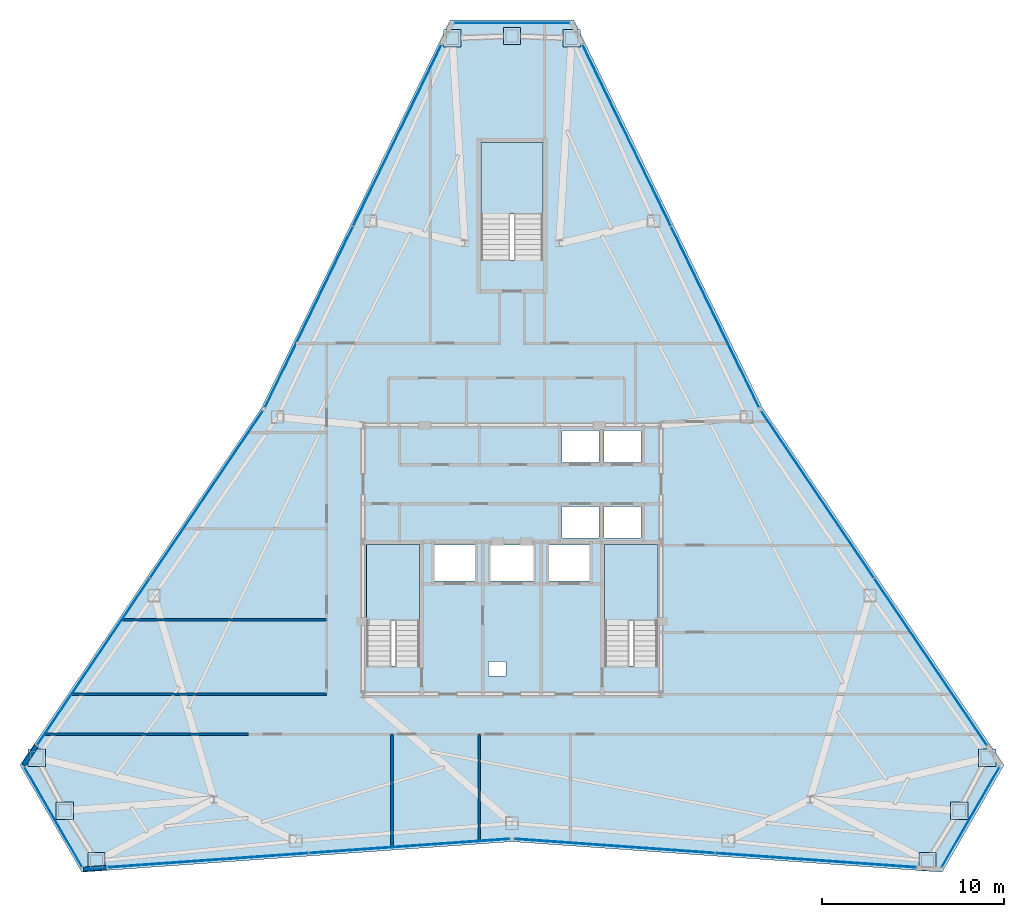
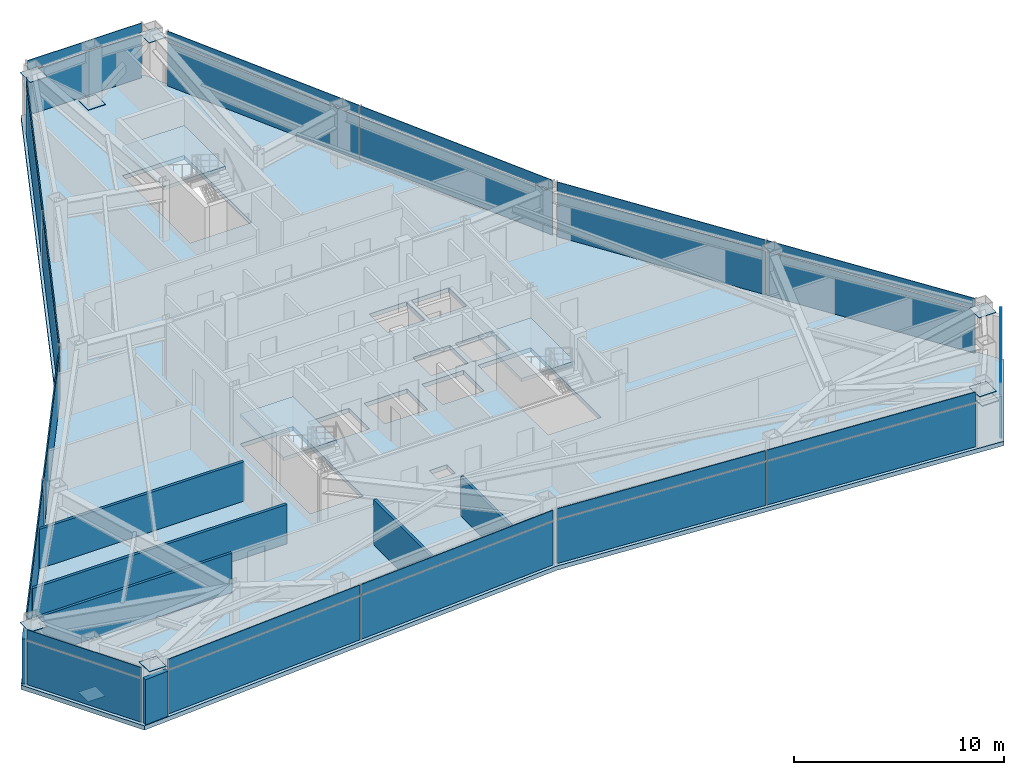
# One storey, part 8 of 12: 39 plates, 7 walls, 4 slabs, 12 elements without a shape of their own.
"""IFC4 building model written with IfcOpenShell, lengths in metres."""

from ifc_helpers import new_model, si_unit, direction, frame, frame_2d, origin, origin_2d, place, context, subcontext, project, spatial, polyline, rectangle, outline, extrude, source, transform, mapped, material, layer, layer_set, type_object, type_shapes, element, aggregate, save


model = new_model("IFC4")

# Units and contexts
model_context = context("Model", 3, precision=1e-05, world=origin(), true_north=direction((0.0, 1.0)))
body_context = subcontext(model_context, "Body", "Model", "MODEL_VIEW")
ifc_project = project(units=[si_unit("LENGTHUNIT", "METRE"), si_unit("AREAUNIT", "SQUARE_METRE"), si_unit("VOLUMEUNIT", "CUBIC_METRE"), si_unit("PLANEANGLEUNIT", "RADIAN"), si_unit("MASSUNIT", "GRAM", prefix="KILO")], contexts=[model_context])

# Site, building, storey
site_placement = place(None, origin())
site = spatial("IfcSite", under=ifc_project, at=site_placement, CompositionType="ELEMENT")
building_placement = place(site_placement, origin())
building = spatial("IfcBuilding", under=site, at=building_placement, Name="Varakhsha Concourse Tower", CompositionType="ELEMENT")
storey_placement = place(building_placement, frame((0.0, 0.0, 208.39990234375)))
storey = spatial("IfcBuildingStorey", under=building, at=storey_placement, Name="L59", CompositionType="ELEMENT", Elevation=208.39990234375)

# Slab
ifc_material_1 = material(Name="Concrete fc 45 MPa", Category="concrete")
ifc_layer_1 = layer(ifc_material_1, 0.25, Name="SL-FLR-250")
ifc_layer_set_1 = layer_set([ifc_layer_1], Name="Concrete fc 45 MPa")
slab_type_1 = type_object("IfcSlabType", Name="SL-FLR-250", PredefinedType="FLOOR", material=ifc_layer_set_1)
slab_1_placement = place(storey_placement, frame((0.0, 0.0, -0.25)))
element("IfcSlab", 1, at=slab_1_placement, inside=storey, type_object=slab_type_1, Name="L59 Composite Structural Slab", PredefinedType="FLOOR", context=body_context, shape_type="SweptSolid", body=[
    extrude(outline(polyline([(43.39990234375, 53.497802734375), (36.60009765625, 53.497802734375), (26.21728515625, 32.157470703125), (12.927490234375, 12.49560546875), (16.327392578125, 6.606689453125), (40.0, 8.28515625), (63.672607421875, 6.606689453125), (67.072509765625, 12.49560546875), (53.78271484375, 32.157470703125), (43.39990234375, 53.497802734375)]), holes=[polyline([(34.919921875, 17.93994140625), (34.919921875, 24.6298828125), (32.0, 24.6298828125), (32.0, 17.93994140625), (34.919921875, 17.93994140625)]), polyline([(48.02001953125, 17.93994140625), (48.02001953125, 24.6298828125), (45.10009765625, 24.6298828125), (45.10009765625, 17.93994140625), (48.02001953125, 17.93994140625)]), polyline([(41.699951171875, 40.300048828125), (41.699951171875, 46.75), (38.300048828125, 46.75), (38.300048828125, 40.300048828125), (41.699951171875, 40.300048828125)]), polyline([(42.739990234375, 29.159912109375), (44.780029296875, 29.159912109375), (44.780029296875, 30.89990234375), (42.739990234375, 30.89990234375), (42.739990234375, 29.159912109375)]), polyline([(45.06005859375, 29.159912109375), (47.10009765625, 29.159912109375), (47.10009765625, 30.89990234375), (45.06005859375, 30.89990234375), (45.06005859375, 29.159912109375)]), polyline([(42.739990234375, 25.0), (44.780029296875, 25.0), (44.780029296875, 26.739990234375), (42.739990234375, 26.739990234375), (42.739990234375, 25.0)]), polyline([(45.06005859375, 25.0), (47.10009765625, 25.0), (47.10009765625, 26.739990234375), (45.06005859375, 26.739990234375), (45.06005859375, 25.0)]), polyline([(35.7099609375, 22.639892578125), (37.989990234375, 22.639892578125), (37.989990234375, 24.60009765625), (35.7099609375, 24.60009765625), (35.7099609375, 22.639892578125)]), polyline([(42.010009765625, 22.639892578125), (44.2900390625, 22.639892578125), (44.2900390625, 24.60009765625), (42.010009765625, 24.60009765625), (42.010009765625, 22.639892578125)]), polyline([(38.81005859375, 22.639892578125), (41.18994140625, 22.639892578125), (41.18994140625, 24.60009765625), (38.81005859375, 24.60009765625), (38.81005859375, 22.639892578125)]), polyline([(38.719970703125, 17.39990234375), (39.679931640625, 17.39990234375), (39.679931640625, 18.199951171875), (38.719970703125, 18.199951171875), (38.719970703125, 17.39990234375)])]), origin(), (0.0, 0.0, 1.0), 0.25),
])

# Stair, slab
stair_type_1 = type_object("IfcStairType", Name="ST-DOGLEG-1360", PredefinedType="HALF_TURN_STAIR", material=ifc_material_1)
stair_1_placement = place(storey_placement, origin())
stair_1 = element("IfcStair", 2, at=stair_1_placement, inside=storey, type_object=stair_type_1, Name="L59 Protected Exit Stair ST1", PredefinedType="HALF_TURN_STAIR")
ifc_layer_2 = layer(ifc_material_1, 0.199951171875, Name="SL-LAND-200")
ifc_layer_set_2 = layer_set([ifc_layer_2], Name="Concrete fc 45 MPa")
slab_type_2 = type_object("IfcSlabType", Name="SL-LAND-200", PredefinedType="LANDING", material=ifc_layer_set_2)
slab_2_placement = place(storey_placement, frame((0.0, 0.0, 1.550048828125)))
slab_2 = element("IfcSlab", 3, at=slab_2_placement, type_object=slab_type_2, Name="ST1 landing 1", PredefinedType="LANDING", context=body_context, shape_type="SweptSolid", body=[
    extrude(outline(polyline([(34.919921875, 20.4599609375), (34.919921875, 24.6298828125), (32.0, 24.6298828125), (32.0, 20.4599609375), (34.919921875, 20.4599609375)])), origin(), (0.0, 0.0, 1.0), 0.199951171875),
])
aggregate(stair_1, [slab_2])

stair_2_placement = place(storey_placement, origin())
stair_2 = element("IfcStair", 4, at=stair_2_placement, inside=storey, type_object=stair_type_1, Name="L59 Protected Exit Stair ST2", PredefinedType="HALF_TURN_STAIR")
slab_3_placement = place(storey_placement, frame((0.0, 0.0, 1.550048828125)))
slab_3 = element("IfcSlab", 5, at=slab_3_placement, type_object=slab_type_2, Name="ST2 landing 1", PredefinedType="LANDING", context=body_context, shape_type="SweptSolid", body=[
    extrude(outline(polyline([(48.02001953125, 20.4599609375), (48.02001953125, 24.6298828125), (45.10009765625, 24.6298828125), (45.10009765625, 20.4599609375), (48.02001953125, 20.4599609375)])), origin(), (0.0, 0.0, 1.0), 0.199951171875),
])
aggregate(stair_2, [slab_3])

stair_type_2 = type_object("IfcStairType", Name="ST-DOGLEG-1600", PredefinedType="HALF_TURN_STAIR", material=ifc_material_1)
stair_3_placement = place(storey_placement, origin())
stair_3 = element("IfcStair", 6, at=stair_3_placement, inside=storey, type_object=stair_type_2, Name="L59 Protected Exit Stair ST5", PredefinedType="HALF_TURN_STAIR")
slab_4_placement = place(storey_placement, frame((0.0, 0.0, 1.550048828125)))
slab_4 = element("IfcSlab", 7, at=slab_4_placement, type_object=slab_type_2, Name="ST5 landing 1", PredefinedType="LANDING", context=body_context, shape_type="SweptSolid", body=[
    extrude(outline(polyline([(41.699951171875, 42.820068359375), (41.699951171875, 46.75), (38.300048828125, 46.75), (38.300048828125, 42.820068359375), (41.699951171875, 42.820068359375)])), origin(), (0.0, 0.0, 1.0), 0.199951171875),
])
aggregate(stair_3, [slab_4])

# Plates
ifc_material_2 = material(Name="Structural Steel ASTM A572 Grade 50", Category="steel")
ifc_layer_3 = layer(ifc_material_2, 0.030029296875, Name="PL-ENDCAP-950")
ifc_layer_set_3 = layer_set([ifc_layer_3], Name="Structural Steel ASTM A572 Grade 50")
plate_type_1 = type_object("IfcPlateType", Name="PL-ENDCAP-950", PredefinedType="USERDEFINED", material=ifc_layer_set_3)
shared_shape_1 = source(origin(), body_context, "Body", "SweptSolid", [
    extrude(rectangle(XDim=0.949951171875, YDim=0.949951171875, at=origin_2d()), origin(), (0.0, 0.0, 1.0), 0.030029296875),
])
type_shapes(plate_type_1, [shared_shape_1])
for number, where, z_axis, x_axis, name in (
    (8, (40.0, 52.61767578125, 0.10498046875), (0.0, 0.0, 1.0), (1.0, 0.0, 0.0), "Hollow Section End Cap GP-NODE-L59-0604"),
    (9, (43.283203125, 52.492431640625, 2.93505859375), (0.0, 0.0, 1.0), (1.0, 0.0, 0.0), "Hollow Section End Cap GP-NODE-L59-0605"),
    (10, (36.716796875, 52.492431640625, 2.93505859375), (0.0, 0.0, 1.0), (1.0, 0.0, 0.0), "Hollow Section End Cap GP-NODE-L59-0606"),
    (11, (15.389404296875, 9.9912109375, 0.10498046875), (0.0, 0.0, 1.0), (1.0, 0.0, 0.0), "Hollow Section End Cap GP-NODE-L59-0607"),
    (12, (13.856201171875, 12.897216796875, 2.93505859375), (0.0, 0.0, 1.0), (1.0, 0.0, 0.0), "Hollow Section End Cap GP-NODE-L59-0608"),
    (13, (17.1396484375, 7.210205078125, 2.93505859375), (0.0, 0.0, 1.0), (1.0, 0.0, 0.0), "Hollow Section End Cap GP-NODE-L59-0609"),
    (14, (64.610595703125, 9.9912109375, 0.10498046875), (0.0, 0.0, 1.0), (1.0, 0.0, 0.0), "Hollow Section End Cap GP-NODE-L59-0610"),
    (15, (62.8603515625, 7.210205078125, 2.93505859375), (0.0, 0.0, 1.0), (1.0, 0.0, 0.0), "Hollow Section End Cap GP-NODE-L59-0611"),
    (16, (66.143798828125, 12.897216796875, 2.93505859375), (0.0, 0.0, 1.0), (1.0, 0.0, 0.0), "Hollow Section End Cap GP-NODE-L59-0612"),
):
    element("IfcPlate", number, at=place(storey_placement, frame(where, z_axis=z_axis, x_axis=x_axis)), inside=storey, type_object=plate_type_1, Name=name, ObjectType="END PLATE", PredefinedType="USERDEFINED", context=body_context, shape_type="MappedRepresentation", body=[
        mapped(shared_shape_1, transform((0.0, 0.0, 0.0), scale=1.0)),
    ])

# Curtain wall, plate
ifc_material_3 = material(Name="Anodised Bronze Architectural Aluminium AA 6063-T6", Category="aluminium")
ifc_layer_4 = layer(ifc_material_3, 0.199951171875, Name="CW-SYS-05")
ifc_layer_set_4 = layer_set([ifc_layer_4], Name="Anodised Bronze Architectural Aluminium AA 6063-T6")
curtain_wall_type = type_object("IfcCurtainWallType", Name="CW-SYS-05", PredefinedType="NOTDEFINED", material=ifc_layer_set_4)
curtain_wall_1_placement = place(storey_placement, origin())
curtain_wall_1 = element("IfcCurtainWall", 17, at=curtain_wall_1_placement, inside=storey, type_object=curtain_wall_type, Name="L59 Crystal Curtain Wall F2", PredefinedType="NOTDEFINED")
ifc_material_4 = material(Name="Low-E Triple Insulating Glass IGU 44 mm", Category="glass")
ifc_layer_5 = layer(ifc_material_4, 0.0439453125, Name="CWP-IGU-44")
ifc_layer_set_5 = layer_set([ifc_layer_5], Name="Low-E Triple Insulating Glass IGU 44 mm")
plate_type_2 = type_object("IfcPlateType", Name="CWP-IGU-44", PredefinedType="CURTAIN_PANEL", material=ifc_layer_set_5)
shared_shape_2 = source(origin(), body_context, "Body", "SweptSolid", [
    extrude(rectangle(XDim=11.046875, YDim=0.0439453125, at=origin_2d()), origin(), (0.0, 0.0, 1.0), 2.535888671875),
])
plate_1_placement = place(storey_placement, frame((28.827880859375, 37.1572265625, 0.0322265625), z_axis=(0.0, 0.0, 1.0), x_axis=(0.437497178592, 0.899219783325, 0.0)))
plate_1 = element("IfcPlate", 18, at=plate_1_placement, type_object=plate_type_2, Name="CW-L59-F2 Panel 00-00", PredefinedType="CURTAIN_PANEL", context=body_context, shape_type="MappedRepresentation", body=[
    mapped(shared_shape_2, transform((0.0, 0.0, 0.0), scale=1.0)),
])

curtain_wall_2_placement = place(storey_placement, origin())
curtain_wall_2 = element("IfcCurtainWall", 19, at=curtain_wall_2_placement, inside=storey, type_object=curtain_wall_type, Name="L59 Crystal Curtain Wall F9", PredefinedType="NOTDEFINED")
plate_2_placement = place(storey_placement, frame((46.30908203125, 47.153076171875, 0.0322265625), z_axis=(0.0, 0.0, 1.0), x_axis=(0.437497178592, -0.899219783325, 0.0)))
plate_2 = element("IfcPlate", 20, at=plate_2_placement, type_object=plate_type_2, Name="CW-L59-F9 Panel 00-00", PredefinedType="CURTAIN_PANEL", context=body_context, shape_type="MappedRepresentation", body=[
    mapped(shared_shape_2, transform((0.0, 0.0, 0.0), scale=1.0)),
])

# Plate
ifc_material_5 = material(Name="Insulated Anodised Bronze Aluminium Spandrel 36 mm", Category="aluminium")
ifc_layer_6 = layer(ifc_material_5, 0.035888671875, Name="CWP-SPN-36")
ifc_layer_set_6 = layer_set([ifc_layer_6], Name="Insulated Anodised Bronze Aluminium Spandrel 36 mm")
plate_type_3 = type_object("IfcPlateType", Name="CWP-SPN-36", PredefinedType="USERDEFINED", material=ifc_layer_set_6)
shared_shape_3 = source(origin(), body_context, "Body", "SweptSolid", [
    extrude(rectangle(XDim=11.046875, YDim=0.035888671875, at=origin_2d()), origin(), (0.0, 0.0, 1.0), 0.5859375),
])
plate_3_placement = place(storey_placement, frame((28.827880859375, 37.1572265625, 2.632080078125), z_axis=(0.0, 0.0, 1.0), x_axis=(0.437497178592, 0.899219783325, 0.0)))
plate_3 = element("IfcPlate", 21, at=plate_3_placement, type_object=plate_type_3, Name="CW-L59-F2 Panel 00-01", ObjectType="SPANDREL", PredefinedType="USERDEFINED", context=body_context, shape_type="MappedRepresentation", body=[
    mapped(shared_shape_3, transform((0.0, 0.0, 0.0), scale=1.0)),
])

plate_4_placement = place(storey_placement, frame((46.30908203125, 47.153076171875, 2.632080078125), z_axis=(0.0, 0.0, 1.0), x_axis=(0.437497178592, -0.899219783325, 0.0)))
plate_4 = element("IfcPlate", 22, at=plate_4_placement, type_object=plate_type_3, Name="CW-L59-F9 Panel 00-01", ObjectType="SPANDREL", PredefinedType="USERDEFINED", context=body_context, shape_type="MappedRepresentation", body=[
    mapped(shared_shape_3, transform((0.0, 0.0, 0.0), scale=1.0)),
])

shared_shape_4 = source(origin(), body_context, "Body", "SweptSolid", [
    extrude(rectangle(XDim=11.047119140625, YDim=0.0439453125, at=origin_2d()), origin(), (0.0, 0.0, 1.0), 2.535888671875),
])
type_shapes(plate_type_2, [shared_shape_2, shared_shape_4])
plate_5_placement = place(storey_placement, frame((33.69091796875, 47.15283203125, 0.0322265625), z_axis=(0.0, 0.0, 1.0), x_axis=(0.437497178592, 0.899219783325, 0.0)))
plate_5 = element("IfcPlate", 23, at=plate_5_placement, type_object=plate_type_2, Name="CW-L59-F2 Panel 01-00", PredefinedType="CURTAIN_PANEL", context=body_context, shape_type="MappedRepresentation", body=[
    mapped(shared_shape_4, transform((0.0, 0.0, 0.0), scale=1.0)),
])

# Curtain wall, plates
curtain_wall_3_placement = place(storey_placement, origin())
curtain_wall_3 = element("IfcCurtainWall", 24, at=curtain_wall_3_placement, inside=storey, type_object=curtain_wall_type, Name="L59 Crystal Curtain Wall F3", PredefinedType="NOTDEFINED")
plate_6_placement = place(storey_placement, frame((16.9677734375, 18.187255859375, 0.0322265625), z_axis=(0.0, 0.0, 1.0), x_axis=(0.559998586649, 0.828493562408, 0.0)))
plate_6 = element("IfcPlate", 25, at=plate_6_placement, type_object=plate_type_2, Name="CW-L59-F3 Panel 00-00", PredefinedType="CURTAIN_PANEL", context=body_context, shape_type="MappedRepresentation", body=[
    mapped(shared_shape_4, transform((0.0, 0.0, 0.0), scale=1.0)),
])
plate_7_placement = place(storey_placement, frame((23.192626953125, 27.396728515625, 0.0322265625), z_axis=(0.0, 0.0, 1.0), x_axis=(0.559998586649, 0.828493562408, 0.0)))
plate_7 = element("IfcPlate", 26, at=plate_7_placement, type_object=plate_type_2, Name="CW-L59-F3 Panel 01-00", PredefinedType="CURTAIN_PANEL", context=body_context, shape_type="MappedRepresentation", body=[
    mapped(shared_shape_4, transform((0.0, 0.0, 0.0), scale=1.0)),
])

curtain_wall_4_placement = place(storey_placement, origin())
curtain_wall_4 = element("IfcCurtainWall", 27, at=curtain_wall_4_placement, inside=storey, type_object=curtain_wall_type, Name="L59 Crystal Curtain Wall F5", PredefinedType="NOTDEFINED")
plate_8_placement = place(storey_placement, frame((34.36474609375, 8.0458984375, 0.0322265625), z_axis=(0.0, 0.0, 1.0), x_axis=(-0.997496012116, -0.070722739, 0.0)))
plate_8 = element("IfcPlate", 28, at=plate_8_placement, type_object=plate_type_2, Name="CW-L59-F5 Panel 00-00", PredefinedType="CURTAIN_PANEL", context=body_context, shape_type="MappedRepresentation", body=[
    mapped(shared_shape_4, transform((0.0, 0.0, 0.0), scale=1.0)),
])
plate_9_placement = place(storey_placement, frame((23.276611328125, 7.259765625, 0.0322265625), z_axis=(0.0, 0.0, 1.0), x_axis=(-0.997496012116, -0.070722739, 0.0)))
plate_9 = element("IfcPlate", 29, at=plate_9_placement, type_object=plate_type_2, Name="CW-L59-F5 Panel 01-00", PredefinedType="CURTAIN_PANEL", context=body_context, shape_type="MappedRepresentation", body=[
    mapped(shared_shape_4, transform((0.0, 0.0, 0.0), scale=1.0)),
])

curtain_wall_5_placement = place(storey_placement, origin())
curtain_wall_5 = element("IfcCurtainWall", 30, at=curtain_wall_5_placement, inside=storey, type_object=curtain_wall_type, Name="L59 Crystal Curtain Wall F6", PredefinedType="NOTDEFINED")
plate_10_placement = place(storey_placement, frame((56.723388671875, 7.259765625, 0.0322265625), z_axis=(0.0, 0.0, 1.0), x_axis=(-0.997496012116, 0.070722739, 0.0)))
plate_10 = element("IfcPlate", 31, at=plate_10_placement, type_object=plate_type_2, Name="CW-L59-F6 Panel 00-00", PredefinedType="CURTAIN_PANEL", context=body_context, shape_type="MappedRepresentation", body=[
    mapped(shared_shape_4, transform((0.0, 0.0, 0.0), scale=1.0)),
])
plate_11_placement = place(storey_placement, frame((45.63525390625, 8.0458984375, 0.0322265625), z_axis=(0.0, 0.0, 1.0), x_axis=(-0.997496012116, 0.070722739, 0.0)))
plate_11 = element("IfcPlate", 32, at=plate_11_placement, type_object=plate_type_2, Name="CW-L59-F6 Panel 01-00", PredefinedType="CURTAIN_PANEL", context=body_context, shape_type="MappedRepresentation", body=[
    mapped(shared_shape_4, transform((0.0, 0.0, 0.0), scale=1.0)),
])

curtain_wall_6_placement = place(storey_placement, origin())
curtain_wall_6 = element("IfcCurtainWall", 33, at=curtain_wall_6_placement, inside=storey, type_object=curtain_wall_type, Name="L59 Crystal Curtain Wall F8", PredefinedType="NOTDEFINED")
plate_12_placement = place(storey_placement, frame((56.807373046875, 27.396728515625, 0.0322265625), z_axis=(0.0, 0.0, 1.0), x_axis=(0.559998586649, -0.828493562408, 0.0)))
plate_12 = element("IfcPlate", 34, at=plate_12_placement, type_object=plate_type_2, Name="CW-L59-F8 Panel 00-00", PredefinedType="CURTAIN_PANEL", context=body_context, shape_type="MappedRepresentation", body=[
    mapped(shared_shape_4, transform((0.0, 0.0, 0.0), scale=1.0)),
])
plate_13_placement = place(storey_placement, frame((63.0322265625, 18.187255859375, 0.0322265625), z_axis=(0.0, 0.0, 1.0), x_axis=(0.559998586649, -0.828493562408, 0.0)))
plate_13 = element("IfcPlate", 35, at=plate_13_placement, type_object=plate_type_2, Name="CW-L59-F8 Panel 01-00", PredefinedType="CURTAIN_PANEL", context=body_context, shape_type="MappedRepresentation", body=[
    mapped(shared_shape_4, transform((0.0, 0.0, 0.0), scale=1.0)),
])

# Plate
plate_14_placement = place(storey_placement, frame((51.172119140625, 37.1572265625, 0.0322265625), z_axis=(0.0, 0.0, 1.0), x_axis=(0.437497178592, -0.899219783325, 0.0)))
plate_14 = element("IfcPlate", 36, at=plate_14_placement, type_object=plate_type_2, Name="CW-L59-F9 Panel 01-00", PredefinedType="CURTAIN_PANEL", context=body_context, shape_type="MappedRepresentation", body=[
    mapped(shared_shape_4, transform((0.0, 0.0, 0.0), scale=1.0)),
])

shared_shape_5 = source(origin(), body_context, "Body", "SweptSolid", [
    extrude(rectangle(XDim=11.047119140625, YDim=0.035888671875, at=origin_2d()), origin(), (0.0, 0.0, 1.0), 0.5859375),
])
plate_15_placement = place(storey_placement, frame((33.69091796875, 47.15283203125, 2.632080078125), z_axis=(0.0, 0.0, 1.0), x_axis=(0.437497178592, 0.899219783325, 0.0)))
plate_15 = element("IfcPlate", 37, at=plate_15_placement, type_object=plate_type_3, Name="CW-L59-F2 Panel 01-01", ObjectType="SPANDREL", PredefinedType="USERDEFINED", context=body_context, shape_type="MappedRepresentation", body=[
    mapped(shared_shape_5, transform((0.0, 0.0, 0.0), scale=1.0)),
])

aggregate(curtain_wall_1, [plate_1, plate_3, plate_5, plate_15])

plate_16_placement = place(storey_placement, frame((16.9677734375, 18.187255859375, 2.632080078125), z_axis=(0.0, 0.0, 1.0), x_axis=(0.559998586649, 0.828493562408, 0.0)))
plate_16 = element("IfcPlate", 38, at=plate_16_placement, type_object=plate_type_3, Name="CW-L59-F3 Panel 00-01", ObjectType="SPANDREL", PredefinedType="USERDEFINED", context=body_context, shape_type="MappedRepresentation", body=[
    mapped(shared_shape_5, transform((0.0, 0.0, 0.0), scale=1.0)),
])

plate_17_placement = place(storey_placement, frame((23.192626953125, 27.396728515625, 2.632080078125), z_axis=(0.0, 0.0, 1.0), x_axis=(0.559998586649, 0.828493562408, 0.0)))
plate_17 = element("IfcPlate", 39, at=plate_17_placement, type_object=plate_type_3, Name="CW-L59-F3 Panel 01-01", ObjectType="SPANDREL", PredefinedType="USERDEFINED", context=body_context, shape_type="MappedRepresentation", body=[
    mapped(shared_shape_5, transform((0.0, 0.0, 0.0), scale=1.0)),
])

aggregate(curtain_wall_3, [plate_6, plate_16, plate_7, plate_17])

plate_18_placement = place(storey_placement, frame((34.36474609375, 8.0458984375, 2.632080078125), z_axis=(0.0, 0.0, 1.0), x_axis=(-0.997496012116, -0.070722739, 0.0)))
plate_18 = element("IfcPlate", 40, at=plate_18_placement, type_object=plate_type_3, Name="CW-L59-F5 Panel 00-01", ObjectType="SPANDREL", PredefinedType="USERDEFINED", context=body_context, shape_type="MappedRepresentation", body=[
    mapped(shared_shape_5, transform((0.0, 0.0, 0.0), scale=1.0)),
])

plate_19_placement = place(storey_placement, frame((23.276611328125, 7.259765625, 2.632080078125), z_axis=(0.0, 0.0, 1.0), x_axis=(-0.997496012116, -0.070722739, 0.0)))
plate_19 = element("IfcPlate", 41, at=plate_19_placement, type_object=plate_type_3, Name="CW-L59-F5 Panel 01-01", ObjectType="SPANDREL", PredefinedType="USERDEFINED", context=body_context, shape_type="MappedRepresentation", body=[
    mapped(shared_shape_5, transform((0.0, 0.0, 0.0), scale=1.0)),
])

aggregate(curtain_wall_4, [plate_8, plate_18, plate_9, plate_19])

plate_20_placement = place(storey_placement, frame((56.723388671875, 7.259765625, 2.632080078125), z_axis=(0.0, 0.0, 1.0), x_axis=(-0.997496012116, 0.070722739, 0.0)))
plate_20 = element("IfcPlate", 42, at=plate_20_placement, type_object=plate_type_3, Name="CW-L59-F6 Panel 00-01", ObjectType="SPANDREL", PredefinedType="USERDEFINED", context=body_context, shape_type="MappedRepresentation", body=[
    mapped(shared_shape_5, transform((0.0, 0.0, 0.0), scale=1.0)),
])

plate_21_placement = place(storey_placement, frame((45.63525390625, 8.0458984375, 2.632080078125), z_axis=(0.0, 0.0, 1.0), x_axis=(-0.997496012116, 0.070722739, 0.0)))
plate_21 = element("IfcPlate", 43, at=plate_21_placement, type_object=plate_type_3, Name="CW-L59-F6 Panel 01-01", ObjectType="SPANDREL", PredefinedType="USERDEFINED", context=body_context, shape_type="MappedRepresentation", body=[
    mapped(shared_shape_5, transform((0.0, 0.0, 0.0), scale=1.0)),
])

aggregate(curtain_wall_5, [plate_10, plate_20, plate_11, plate_21])

plate_22_placement = place(storey_placement, frame((56.807373046875, 27.396728515625, 2.632080078125), z_axis=(0.0, 0.0, 1.0), x_axis=(0.559998586649, -0.828493562408, 0.0)))
plate_22 = element("IfcPlate", 44, at=plate_22_placement, type_object=plate_type_3, Name="CW-L59-F8 Panel 00-01", ObjectType="SPANDREL", PredefinedType="USERDEFINED", context=body_context, shape_type="MappedRepresentation", body=[
    mapped(shared_shape_5, transform((0.0, 0.0, 0.0), scale=1.0)),
])

plate_23_placement = place(storey_placement, frame((63.0322265625, 18.187255859375, 2.632080078125), z_axis=(0.0, 0.0, 1.0), x_axis=(0.559998586649, -0.828493562408, 0.0)))
plate_23 = element("IfcPlate", 45, at=plate_23_placement, type_object=plate_type_3, Name="CW-L59-F8 Panel 01-01", ObjectType="SPANDREL", PredefinedType="USERDEFINED", context=body_context, shape_type="MappedRepresentation", body=[
    mapped(shared_shape_5, transform((0.0, 0.0, 0.0), scale=1.0)),
])

aggregate(curtain_wall_6, [plate_12, plate_22, plate_13, plate_23])

plate_24_placement = place(storey_placement, frame((51.172119140625, 37.1572265625, 2.632080078125), z_axis=(0.0, 0.0, 1.0), x_axis=(0.437497178592, -0.899219783325, 0.0)))
plate_24 = element("IfcPlate", 46, at=plate_24_placement, type_object=plate_type_3, Name="CW-L59-F9 Panel 01-01", ObjectType="SPANDREL", PredefinedType="USERDEFINED", context=body_context, shape_type="MappedRepresentation", body=[
    mapped(shared_shape_5, transform((0.0, 0.0, 0.0), scale=1.0)),
])

aggregate(curtain_wall_2, [plate_2, plate_4, plate_14, plate_24])

# Curtain wall, plate
curtain_wall_7_placement = place(storey_placement, origin())
curtain_wall_7 = element("IfcCurtainWall", 47, at=curtain_wall_7_placement, inside=storey, type_object=curtain_wall_type, Name="L59 Chamfer Curtain Wall F1", PredefinedType="NOTDEFINED")
shared_shape_6 = source(origin(), body_context, "Body", "SweptSolid", [
    extrude(rectangle(XDim=6.291015625, YDim=0.035888671875, at=origin_2d()), origin(), (0.0, 0.0, 1.0), 2.535888671875),
])
plate_25_placement = place(storey_placement, frame((40.0, 53.337646484375, 0.0322265625), z_axis=(0.0, 0.0, 1.0), x_axis=(1.0, 0.0, 0.0)))
plate_25 = element("IfcPlate", 48, at=plate_25_placement, type_object=plate_type_3, Name="CW-L59-F1 Panel 00-00", ObjectType="SPANDREL", PredefinedType="USERDEFINED", context=body_context, shape_type="MappedRepresentation", body=[
    mapped(shared_shape_6, transform((0.0, 0.0, 0.0), scale=1.0)),
])

curtain_wall_8_placement = place(storey_placement, origin())
curtain_wall_8 = element("IfcCurtainWall", 49, at=curtain_wall_8_placement, inside=storey, type_object=curtain_wall_type, Name="L59 Chamfer Curtain Wall F4", PredefinedType="NOTDEFINED")
plate_26_placement = place(storey_placement, frame((14.76611328125, 9.631103515625, 0.0322265625), z_axis=(0.0, 0.0, 1.0), x_axis=(-0.49999395399, 0.866028894422, 0.0)))
plate_26 = element("IfcPlate", 50, at=plate_26_placement, type_object=plate_type_3, Name="CW-L59-F4 Panel 00-00", ObjectType="SPANDREL", PredefinedType="USERDEFINED", context=body_context, shape_type="MappedRepresentation", body=[
    mapped(shared_shape_6, transform((0.0, 0.0, 0.0), scale=1.0)),
])

curtain_wall_9_placement = place(storey_placement, origin())
curtain_wall_9 = element("IfcCurtainWall", 51, at=curtain_wall_9_placement, inside=storey, type_object=curtain_wall_type, Name="L59 Chamfer Curtain Wall F7", PredefinedType="NOTDEFINED")
plate_27_placement = place(storey_placement, frame((65.23388671875, 9.631103515625, 0.0322265625), z_axis=(0.0, 0.0, 1.0), x_axis=(-0.49999395399, -0.866028894422, 0.0)))
plate_27 = element("IfcPlate", 52, at=plate_27_placement, type_object=plate_type_3, Name="CW-L59-F7 Panel 00-00", ObjectType="SPANDREL", PredefinedType="USERDEFINED", context=body_context, shape_type="MappedRepresentation", body=[
    mapped(shared_shape_6, transform((0.0, 0.0, 0.0), scale=1.0)),
])

# Plate
shared_shape_7 = source(origin(), body_context, "Body", "SweptSolid", [
    extrude(rectangle(XDim=6.291015625, YDim=0.035888671875, at=origin_2d()), origin(), (0.0, 0.0, 1.0), 0.5859375),
])
type_shapes(plate_type_3, [shared_shape_3, shared_shape_5, shared_shape_6, shared_shape_7])
plate_28_placement = place(storey_placement, frame((40.0, 53.337646484375, 2.632080078125), z_axis=(0.0, 0.0, 1.0), x_axis=(1.0, 0.0, 0.0)))
plate_28 = element("IfcPlate", 53, at=plate_28_placement, type_object=plate_type_3, Name="CW-L59-F1 Panel 00-01", ObjectType="SPANDREL", PredefinedType="USERDEFINED", context=body_context, shape_type="MappedRepresentation", body=[
    mapped(shared_shape_7, transform((0.0, 0.0, 0.0), scale=1.0)),
])

aggregate(curtain_wall_7, [plate_25, plate_28])

plate_29_placement = place(storey_placement, frame((14.76611328125, 9.631103515625, 2.632080078125), z_axis=(0.0, 0.0, 1.0), x_axis=(-0.49999395399, 0.866028894422, 0.0)))
plate_29 = element("IfcPlate", 54, at=plate_29_placement, type_object=plate_type_3, Name="CW-L59-F4 Panel 00-01", ObjectType="SPANDREL", PredefinedType="USERDEFINED", context=body_context, shape_type="MappedRepresentation", body=[
    mapped(shared_shape_7, transform((0.0, 0.0, 0.0), scale=1.0)),
])

aggregate(curtain_wall_8, [plate_26, plate_29])

plate_30_placement = place(storey_placement, frame((65.23388671875, 9.631103515625, 2.632080078125), z_axis=(0.0, 0.0, 1.0), x_axis=(-0.49999395399, -0.866028894422, 0.0)))
plate_30 = element("IfcPlate", 55, at=plate_30_placement, type_object=plate_type_3, Name="CW-L59-F7 Panel 00-01", ObjectType="SPANDREL", PredefinedType="USERDEFINED", context=body_context, shape_type="MappedRepresentation", body=[
    mapped(shared_shape_7, transform((0.0, 0.0, 0.0), scale=1.0)),
])

aggregate(curtain_wall_9, [plate_27, plate_30])

# Walls
ifc_layer_7 = layer(ifc_material_1, 0.239990234375, Name="WL-EXT-CRN-240")
ifc_layer_set_7 = layer_set([ifc_layer_7], Name="Concrete fc 45 MPa")
wall_type_1 = type_object("IfcWallType", Name="WL-EXT-CRN-240", PredefinedType="SHEAR", material=ifc_layer_set_7)
wall_1_placement = place(storey_placement, frame((13.8369140625, 13.5556640625, 0.0), z_axis=(0.0, 0.0, 1.0), x_axis=(-0.559984079849, -0.828503367715, 0.0)))
element("IfcWall", 56, at=wall_1_placement, inside=storey, type_object=wall_type_1, Name="L59 Wind-Corner Shoulder Wall F3", PredefinedType="SHEAR", context=body_context, shape_type="SweptSolid", body=[
    extrude(rectangle(XDim=1.287353515625, YDim=0.239990234375, at=frame_2d((0.6435546875, 0.0))), origin(), (0.0, 0.0, 1.0), 2.623046875),
])
wall_2_placement = place(storey_placement, frame((16.415771484375, 6.773193359375, 0.0), z_axis=(0.0, 0.0, 1.0), x_axis=(0.997482703795, 0.070910194111, 0.0)))
element("IfcWall", 57, at=wall_2_placement, inside=storey, type_object=wall_type_1, Name="L59 Wind-Corner Shoulder Wall F5", PredefinedType="SHEAR", context=body_context, shape_type="SweptSolid", body=[
    extrude(rectangle(XDim=1.28759765625, YDim=0.239990234375, at=frame_2d((0.643798828125, 0.0))), origin(), (0.0, 0.0, 1.0), 2.623046875),
])
ifc_material_6 = material(Name="Fire-Rated Type X Gypsum Partition Assembly", Category="gypsum")
ifc_layer_8 = layer(ifc_material_6, 0.14990234375, Name="WL-PART-150")
ifc_layer_set_8 = layer_set([ifc_layer_8], Name="Fire-Rated Type X Gypsum Partition Assembly")
wall_type_2 = type_object("IfcWallType", Name="WL-PART-150", PredefinedType="PARTITIONING", material=ifc_layer_set_8)
wall_3_placement = place(storey_placement, frame((14.278564453125, 14.199951171875, 0.0), z_axis=(0.0, 0.0, 1.0), x_axis=(1.0, 0.0, 0.0)))
element("IfcWall", 58, at=wall_3_placement, inside=storey, type_object=wall_type_2, Name="L59 Wall CRW-SGAL-SW-L59", PredefinedType="PARTITIONING", context=body_context, shape_type="SweptSolid", body=[
    extrude(rectangle(XDim=11.221435546875, YDim=0.14990234375, at=frame_2d((5.61083984375, 0.0))), origin(), (0.0, 0.0, 1.0), 2.2919921875),
])
wall_4_placement = place(storey_placement, frame((15.765625, 16.39990234375, 0.0), z_axis=(0.0, 0.0, 1.0), x_axis=(1.0, 0.0, 0.0)))
element("IfcWall", 59, at=wall_4_placement, inside=storey, type_object=wall_type_2, Name="L59 Wall CRW-SGAL-NW-L59", PredefinedType="PARTITIONING", context=body_context, shape_type="SweptSolid", body=[
    extrude(rectangle(XDim=14.034423828125, YDim=0.14990234375, at=frame_2d((7.01708984375, 0.0))), origin(), (0.0, 0.0, 1.0), 2.2919921875),
])
wall_5_placement = place(storey_placement, frame((33.39990234375, 7.982421875, 0.0), z_axis=(0.0, 0.0, 1.0), x_axis=(0.0, 1.0, 0.0)))
element("IfcWall", 60, at=wall_5_placement, inside=storey, type_object=wall_type_2, Name="L59 Wall ODIV-S1-L59", PredefinedType="PARTITIONING", context=body_context, shape_type="SweptSolid", body=[
    extrude(rectangle(XDim=6.217529296875, YDim=0.14990234375, at=frame_2d((3.10888671875, 0.0))), origin(), (0.0, 0.0, 1.0), 2.628173828125),
])
wall_6_placement = place(storey_placement, frame((38.199951171875, 8.322998046875, 0.0), z_axis=(0.0, 0.0, 1.0), x_axis=(0.0, 1.0, 0.0)))
element("IfcWall", 61, at=wall_6_placement, inside=storey, type_object=wall_type_2, Name="L59 Wall ODIV-S2-L59", PredefinedType="PARTITIONING", context=body_context, shape_type="SweptSolid", body=[
    extrude(rectangle(XDim=5.876953125, YDim=0.14990234375, at=frame_2d((2.9384765625, 0.0))), origin(), (0.0, 0.0, 1.0), 2.2919921875),
])
wall_7_placement = place(storey_placement, frame((18.536865234375, 20.5, 0.0), z_axis=(0.0, 0.0, 1.0), x_axis=(1.0, 0.0, 0.0)))
element("IfcWall", 62, at=wall_7_placement, inside=storey, type_object=wall_type_2, Name="L59 Wall ODIV-W1-L59", PredefinedType="PARTITIONING", context=body_context, shape_type="SweptSolid", body=[
    extrude(rectangle(XDim=11.26318359375, YDim=0.14990234375, at=frame_2d((5.631591796875, 0.0))), origin(), (0.0, 0.0, 1.0), 2.2919921875),
])

save(model, "model.ifc")
